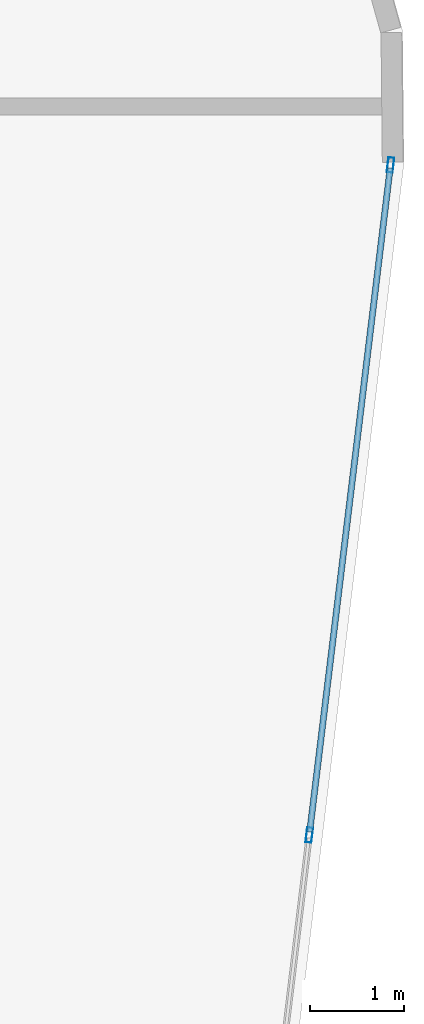
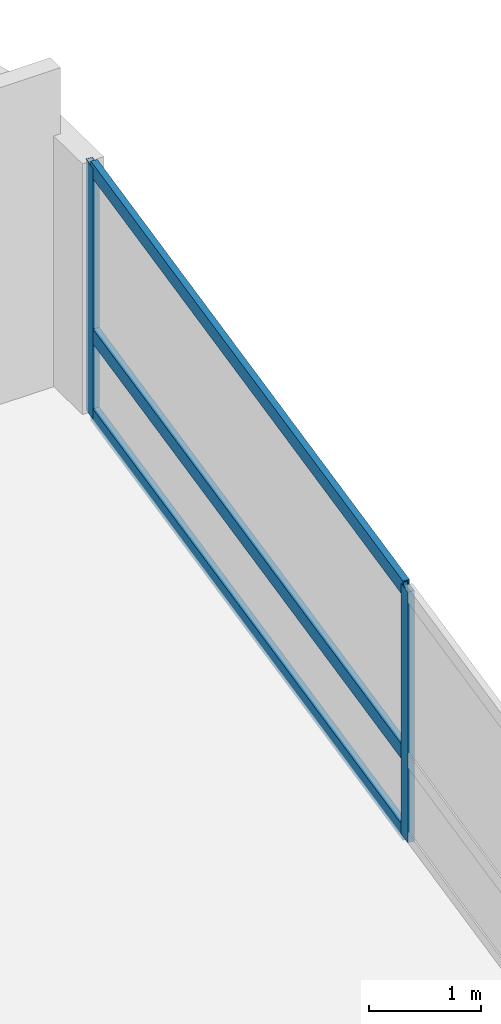
# One storey, part 18 of 26: 5 members, 1 element without a shape of its own.
"""IFC4 building model written with IfcOpenShell, lengths in metres."""

from ifc_helpers import new_model, si_unit, direction, frame, origin, origin_2d, place, context, subcontext, project, spatial, hollow_rectangle, extrude, material, layer, layer_set, material_profile, profile_set, type_object, element, aggregate, save


model = new_model("IFC4")

# Units and contexts
model_context = context("Model", 3, precision=1e-05, world=origin(), true_north=direction((0.0, 1.0)))
body_context = subcontext(model_context, "Body", "Model", "MODEL_VIEW")
ifc_project = project(units=[si_unit("LENGTHUNIT", "METRE"), si_unit("AREAUNIT", "SQUARE_METRE"), si_unit("VOLUMEUNIT", "CUBIC_METRE"), si_unit("PLANEANGLEUNIT", "RADIAN"), si_unit("MASSUNIT", "GRAM", prefix="KILO")], contexts=[model_context])

# Site, building, storey
site_placement = place(None, origin())
site = spatial("IfcSite", under=ifc_project, at=site_placement, CompositionType="ELEMENT")
building_placement = place(site_placement, origin())
building = spatial("IfcBuilding", under=site, at=building_placement, Name="Varnelok Gate Tower", CompositionType="ELEMENT")
storey_placement = place(building_placement, frame((0.0, 0.0, 151.300048828125)))
storey = spatial("IfcBuildingStorey", under=building, at=storey_placement, Name="L38", CompositionType="ELEMENT", Elevation=151.300048828125)

# Curtain wall, members
ifc_material = material(Name="Anodized Aluminum Alloy 6063-T6", Category="aluminium")
ifc_layer = layer(ifc_material, 0.179931640625)
ifc_layer_set = layer_set([ifc_layer], Name="Anodized Aluminum Alloy 6063-T6")
curtain_wall_type = type_object("IfcCurtainWallType", Name="CW3-HOTEL-VISION", PredefinedType="USERDEFINED", material=ifc_layer_set)
curtain_wall_placement = place(storey_placement, origin())
curtain_wall = element("IfcCurtainWall", 1, at=curtain_wall_placement, inside=storey, type_object=curtain_wall_type, Name="L38 East End Vision Curtain Wall", ObjectType="UNITISED CURTAIN WALL", PredefinedType="USERDEFINED")
ifc_material_profile_1 = material_profile(ifc_material, hollow_rectangle(XDim=0.06494140625, YDim=0.159912109375, WallThickness=0.00390625, at=origin_2d()), Name="ALU160X65X4")
ifc_profile_set_1 = profile_set([ifc_material_profile_1], Name="Anodized Aluminum Alloy 6063-T6")
member_type_1 = type_object("IfcMemberType", Name="CW-MULL-160", PredefinedType="MULLION", material=ifc_profile_set_1)
member_1_placement = place(storey_placement, frame((78.153076171875, 38.677001953125, 0.0), z_axis=(0.0, 0.0, 1.0), x_axis=(0.99273188146, -0.120347046212, 0.0)))
member_1 = element("IfcMember", 2, at=member_1_placement, type_object=member_type_1, Name="CW3 mullion 1", PredefinedType="MULLION", context=body_context, shape_type="SweptSolid", body=[
    extrude(hollow_rectangle(XDim=0.06494140625, YDim=0.159912109375, WallThickness=0.00390625, at=origin_2d()), origin(), (0.0, 0.0, 1.0), 2.72998046875),
])
member_2_placement = place(storey_placement, frame((77.290283203125, 31.5615234375, 0.0), z_axis=(0.0, 0.0, 1.0), x_axis=(0.99273188146, -0.120347046212, 0.0)))
member_2 = element("IfcMember", 3, at=member_2_placement, type_object=member_type_1, Name="CW3 mullion 2", PredefinedType="MULLION", context=body_context, shape_type="SweptSolid", body=[
    extrude(hollow_rectangle(XDim=0.06494140625, YDim=0.159912109375, WallThickness=0.00390625, at=origin_2d()), origin(), (0.0, 0.0, 1.0), 2.72998046875),
])
ifc_material_profile_2 = material_profile(ifc_material, hollow_rectangle(XDim=0.06494140625, YDim=0.159912109375, WallThickness=0.00390625, at=origin_2d()), Name="ALU160X65X4")
ifc_profile_set_2 = profile_set([ifc_material_profile_2], Name="Anodized Aluminum Alloy 6063-T6")
member_type_2 = type_object("IfcMemberType", Name="CW-TRAN-160", PredefinedType="USERDEFINED", material=ifc_profile_set_2)
member_3_placement = place(storey_placement, frame((78.149169921875, 38.644775390625, 0.032470703125), z_axis=(-0.120374481497, -0.992728555147, 0.0), x_axis=(0.992728555147, -0.120374481497, 0.0)))
member_3 = element("IfcMember", 4, at=member_3_placement, type_object=member_type_2, Name="CW3 transom 1.1", ObjectType="TRANSOM", PredefinedType="USERDEFINED", context=body_context, shape_type="SweptSolid", body=[
    extrude(hollow_rectangle(XDim=0.06494140625, YDim=0.159912109375, WallThickness=0.00390625, at=origin_2d()), origin(), (0.0, 0.0, 1.0), 7.102783203125),
])
member_4_placement = place(storey_placement, frame((78.149169921875, 38.644775390625, 0.89990234375), z_axis=(-0.120374481497, -0.992728555147, 0.0), x_axis=(0.992728555147, -0.120374481497, 0.0)))
member_4 = element("IfcMember", 5, at=member_4_placement, type_object=member_type_2, Name="CW3 transom 1.2", ObjectType="TRANSOM", PredefinedType="USERDEFINED", context=body_context, shape_type="SweptSolid", body=[
    extrude(hollow_rectangle(XDim=0.06494140625, YDim=0.159912109375, WallThickness=0.00390625, at=origin_2d()), origin(), (0.0, 0.0, 1.0), 7.102783203125),
])
member_5_placement = place(storey_placement, frame((78.149169921875, 38.644775390625, 2.697509765625), z_axis=(-0.120374481497, -0.992728555147, 0.0), x_axis=(0.992728555147, -0.120374481497, 0.0)))
member_5 = element("IfcMember", 6, at=member_5_placement, type_object=member_type_2, Name="CW3 transom 1.3", ObjectType="TRANSOM", PredefinedType="USERDEFINED", context=body_context, shape_type="SweptSolid", body=[
    extrude(hollow_rectangle(XDim=0.06494140625, YDim=0.159912109375, WallThickness=0.00390625, at=origin_2d()), origin(), (0.0, 0.0, 1.0), 7.102783203125),
])
aggregate(curtain_wall, [member_1, member_2, member_3, member_4, member_5])

save(model, "model.ifc")
